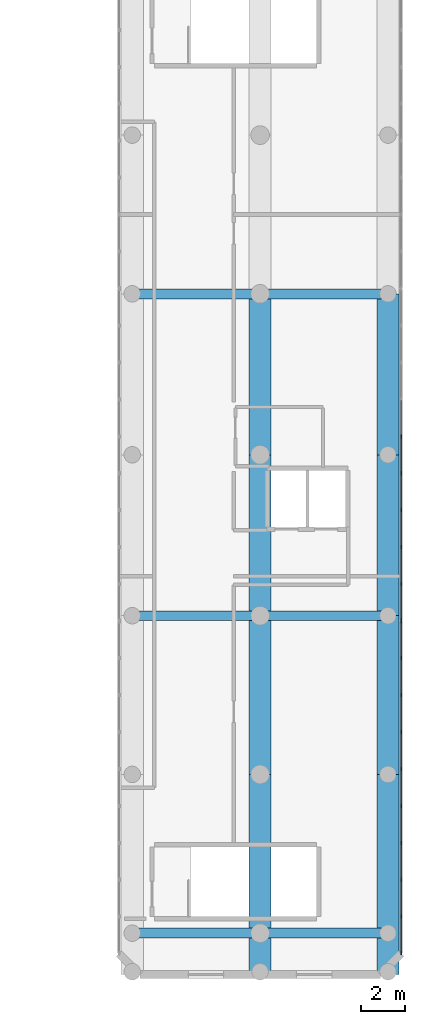
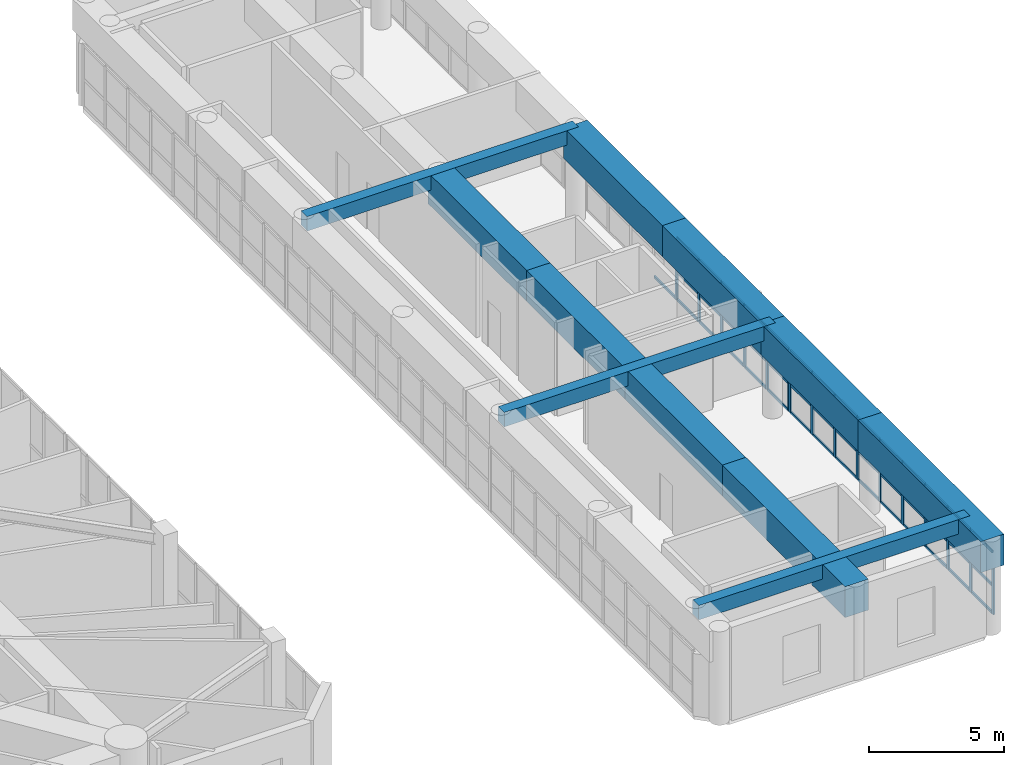
# One storey, part 8 of 22: 59 members, 11 beams, 2 elements without a shape of their own.
"""IFC4 building model written with IfcOpenShell, lengths in metres."""

from ifc_helpers import new_model, si_unit, direction, frame, origin, origin_with_axes, origin_2d, place, context, subcontext, project, spatial, rectangle, extrude, source, transform, mapped, material, layer, layer_set, material_profile, profile_set, type_object, element, aggregate, save


model = new_model("IFC4")

# Units and contexts
model_context = context("Model", 3, precision=1e-05, world=origin(), true_north=direction((0.0, 1.0)))
body_context = subcontext(model_context, "Body", "Model", "MODEL_VIEW")
ifc_project = project(units=[si_unit("LENGTHUNIT", "METRE"), si_unit("AREAUNIT", "SQUARE_METRE"), si_unit("VOLUMEUNIT", "CUBIC_METRE"), si_unit("PLANEANGLEUNIT", "RADIAN"), si_unit("MASSUNIT", "GRAM", prefix="KILO")], contexts=[model_context])

# Site, building, storey
site_placement = place(None, origin())
site = spatial("IfcSite", under=ifc_project, at=site_placement, CompositionType="ELEMENT")
building_placement = place(site_placement, origin())
building = spatial("IfcBuilding", under=site, at=building_placement, Name="Karkom Vertical University and Central Library", CompositionType="ELEMENT")
storey_placement = place(building_placement, frame((0.0, 0.0, 18.0)))
storey = spatial("IfcBuildingStorey", under=building, at=storey_placement, Name="L04", CompositionType="ELEMENT", Elevation=18.0)

# Beams
ifc_material_1 = material(Name="Concrete C50/60", Category="concrete")
ifc_material_profile_1 = material_profile(ifc_material_1, rectangle(XDim=1.0, YDim=1.39990234375, at=origin_2d()), Name="TG-1000x1400")
ifc_profile_set_1 = profile_set([ifc_material_profile_1], Name="Concrete C50/60")
beam_type_1 = type_object("IfcBeamType", Name="STR-BM-TG-2", PredefinedType="USERDEFINED", material=ifc_profile_set_1)
shared_shape_1 = source(origin_with_axes(), body_context, "Body", "SweptSolid", [
    extrude(rectangle(XDim=1.0, YDim=1.39990234375, at=origin_2d()), origin(), (0.0, 0.0, 1.0), 9.080078125),
])
for number, where, z_axis, x_axis, name in (
    (1, (75.39990234375, 2.919921875, 3.52490234375), (0.0, 1.0, 0.0), (-1.0, 0.0, 0.0), "Level 04 Library Vault Transfer Eave Girder 2.1"),
    (2, (81.199951171875, 2.919921875, 3.52490234375), (0.0, 1.0, 0.0), (-1.0, 0.0, 0.0), "Level 04 Library Vault Transfer Eave Girder 3.1"),
):
    element("IfcBeam", number, at=place(storey_placement, frame(where, z_axis=z_axis, x_axis=x_axis)), inside=storey, type_object=beam_type_1, Name=name, ObjectType="GIRDER", PredefinedType="USERDEFINED", context=body_context, shape_type="MappedRepresentation", body=[
        mapped(shared_shape_1, transform((0.0, 0.0, 0.0), scale=1.0)),
    ])
shared_shape_2 = source(origin_with_axes(), body_context, "Body", "SweptSolid", [
    extrude(rectangle(XDim=1.0, YDim=1.39990234375, at=origin_2d()), origin(), (0.0, 0.0, 1.0), 7.199951171875),
])
for number, where, z_axis, x_axis, name in (
    (3, (75.39990234375, 12.0, 3.52490234375), (0.0, 1.0, 0.0), (-1.0, 0.0, 0.0), "Level 04 Library Vault Transfer Eave Girder 2.2"),
    (4, (81.199951171875, 12.0, 3.52490234375), (0.0, 1.0, 0.0), (-1.0, 0.0, 0.0), "Level 04 Library Vault Transfer Eave Girder 3.2"),
):
    element("IfcBeam", number, at=place(storey_placement, frame(where, z_axis=z_axis, x_axis=x_axis)), inside=storey, type_object=beam_type_1, Name=name, ObjectType="GIRDER", PredefinedType="USERDEFINED", context=body_context, shape_type="MappedRepresentation", body=[
        mapped(shared_shape_2, transform((0.0, 0.0, 0.0), scale=1.0)),
    ])
shared_shape_3 = source(origin_with_axes(), body_context, "Body", "SweptSolid", [
    extrude(rectangle(XDim=1.0, YDim=1.39990234375, at=origin_2d()), origin(), (0.0, 0.0, 1.0), 7.300048828125),
])
for number, where, z_axis, x_axis, name in (
    (5, (75.39990234375, 19.199951171875, 3.52490234375), (0.0, 1.0, 0.0), (-1.0, 0.0, 0.0), "Level 04 Library Vault Transfer Eave Girder 2.3"),
    (6, (75.39990234375, 26.5, 3.52490234375), (0.0, 1.0, 0.0), (-1.0, 0.0, 0.0), "Level 04 Library Vault Transfer Eave Girder 2.4"),
    (7, (81.199951171875, 19.199951171875, 3.52490234375), (0.0, 1.0, 0.0), (-1.0, 0.0, 0.0), "Level 04 Library Vault Transfer Eave Girder 3.3"),
    (8, (81.199951171875, 26.5, 3.52490234375), (0.0, 1.0, 0.0), (-1.0, 0.0, 0.0), "Level 04 Library Vault Transfer Eave Girder 3.4"),
):
    element("IfcBeam", number, at=place(storey_placement, frame(where, z_axis=z_axis, x_axis=x_axis)), inside=storey, type_object=beam_type_1, Name=name, ObjectType="GIRDER", PredefinedType="USERDEFINED", context=body_context, shape_type="MappedRepresentation", body=[
        mapped(shared_shape_3, transform((0.0, 0.0, 0.0), scale=1.0)),
    ])
ifc_material_2 = material(Name="Concrete C40/50", Category="concrete")
ifc_material_profile_2 = material_profile(ifc_material_2, rectangle(XDim=0.449951171875, YDim=0.64990234375, at=origin_2d()), Name="RCB-450x650")
ifc_profile_set_2 = profile_set([ifc_material_profile_2], Name="Concrete C40/50")
beam_type_2 = type_object("IfcBeamType", Name="STR-BM-BG-4", PredefinedType="USERDEFINED", material=ifc_profile_set_2)
shared_shape_4 = source(origin_with_axes(), body_context, "Body", "SweptSolid", [
    extrude(rectangle(XDim=0.449951171875, YDim=0.64990234375, at=origin_2d()), origin(), (0.0, 0.0, 1.0), 11.599853515625),
])
for number, where, z_axis, x_axis, name in (
    (9, (69.60009765625, 4.800048828125, 3.89990234375), (1.0, 0.0, 0.0), (0.0, 1.0, 0.0), "Level 04 Library Transverse Tie Girder 1"),
    (10, (69.60009765625, 19.199951171875, 3.89990234375), (1.0, 0.0, 0.0), (0.0, 1.0, 0.0), "Level 04 Library Transverse Tie Girder 2"),
    (11, (69.60009765625, 33.800048828125, 3.89990234375), (1.0, 0.0, 0.0), (0.0, 1.0, 0.0), "Level 04 Library Transverse Tie Girder 3"),
):
    element("IfcBeam", number, at=place(storey_placement, frame(where, z_axis=z_axis, x_axis=x_axis)), inside=storey, type_object=beam_type_2, Name=name, ObjectType="GIRDER", PredefinedType="USERDEFINED", context=body_context, shape_type="MappedRepresentation", body=[
        mapped(shared_shape_4, transform((0.0, 0.0, 0.0), scale=1.0)),
    ])

# Curtain wall, members
ifc_material_3 = material(Name="Aluminium curtain-wall framing and low-E IGU", Category="aluminium")
ifc_layer = layer(ifc_material_3, 0.199951171875)
ifc_layer_set = layer_set([ifc_layer], Name="Aluminium curtain-wall framing and low-E IGU")
curtain_wall_type = type_object("IfcCurtainWallType", Name="ENV-CW-2", PredefinedType="USERDEFINED", material=ifc_layer_set)
curtain_wall_1_placement = place(storey_placement, origin())
curtain_wall_1 = element("IfcCurtainWall", 12, at=curtain_wall_1_placement, inside=storey, type_object=curtain_wall_type, Name="Level 04 CW-2 Curtain Wall Level 04-CW2-3-1", ObjectType="STICK MULLION GLAZING", PredefinedType="USERDEFINED")
ifc_material_4 = material(Name="Anodised Aluminium 6063-T6", Category="aluminium")
ifc_material_profile_3 = material_profile(ifc_material_4, rectangle(XDim=0.06005859375, YDim=0.159912109375, at=origin_2d()), Name="ALU-M60x160")
ifc_profile_set_3 = profile_set([ifc_material_profile_3], Name="Anodised Aluminium 6063-T6")
member_type_1 = type_object("IfcMemberType", Name="ENV-MEM-ALU-M60x160", PredefinedType="MULLION", material=ifc_profile_set_3)
shared_shape_5 = source(origin_with_axes(), body_context, "Body", "SweptSolid", [
    extrude(rectangle(XDim=0.06005859375, YDim=0.159912109375, at=origin_2d()), origin(), (0.0, 0.0, 1.0), 2.824951171875),
])
member_1_placement = place(storey_placement, frame((81.800048828125, 3.89990234375, 0.0), z_axis=(0.0, 0.0, 1.0), x_axis=(-1.0, 0.0, 0.0)))
member_1 = element("IfcMember", 13, at=member_1_placement, type_object=member_type_1, Name="CW-2 mullion 1", PredefinedType="MULLION", context=body_context, shape_type="MappedRepresentation", body=[
    mapped(shared_shape_5, transform((0.0, 0.0, 0.0), scale=1.0)),
])
member_2_placement = place(storey_placement, frame((81.800048828125, 5.54638671875, 0.0), z_axis=(0.0, 0.0, 1.0), x_axis=(-1.0, 0.0, 0.0)))
member_2 = element("IfcMember", 14, at=member_2_placement, type_object=member_type_1, Name="CW-2 mullion 2", PredefinedType="MULLION", context=body_context, shape_type="MappedRepresentation", body=[
    mapped(shared_shape_5, transform((0.0, 0.0, 0.0), scale=1.0)),
])
member_3_placement = place(storey_placement, frame((81.800048828125, 7.22265625, 0.0), z_axis=(0.0, 0.0, 1.0), x_axis=(-1.0, 0.0, 0.0)))
member_3 = element("IfcMember", 15, at=member_3_placement, type_object=member_type_1, Name="CW-2 mullion 3", PredefinedType="MULLION", context=body_context, shape_type="MappedRepresentation", body=[
    mapped(shared_shape_5, transform((0.0, 0.0, 0.0), scale=1.0)),
])
member_4_placement = place(storey_placement, frame((81.800048828125, 8.89892578125, 0.0), z_axis=(0.0, 0.0, 1.0), x_axis=(-1.0, 0.0, 0.0)))
member_4 = element("IfcMember", 16, at=member_4_placement, type_object=member_type_1, Name="CW-2 mullion 4", PredefinedType="MULLION", context=body_context, shape_type="MappedRepresentation", body=[
    mapped(shared_shape_5, transform((0.0, 0.0, 0.0), scale=1.0)),
])
member_5_placement = place(storey_placement, frame((81.800048828125, 10.5751953125, 0.0), z_axis=(0.0, 0.0, 1.0), x_axis=(-1.0, 0.0, 0.0)))
member_5 = element("IfcMember", 17, at=member_5_placement, type_object=member_type_1, Name="CW-2 mullion 5", PredefinedType="MULLION", context=body_context, shape_type="MappedRepresentation", body=[
    mapped(shared_shape_5, transform((0.0, 0.0, 0.0), scale=1.0)),
])
member_6_placement = place(storey_placement, frame((81.800048828125, 12.25146484375, 0.0), z_axis=(0.0, 0.0, 1.0), x_axis=(-1.0, 0.0, 0.0)))
member_6 = element("IfcMember", 18, at=member_6_placement, type_object=member_type_1, Name="CW-2 mullion 6", PredefinedType="MULLION", context=body_context, shape_type="MappedRepresentation", body=[
    mapped(shared_shape_5, transform((0.0, 0.0, 0.0), scale=1.0)),
])
member_7_placement = place(storey_placement, frame((81.800048828125, 13.927734375, 0.0), z_axis=(0.0, 0.0, 1.0), x_axis=(-1.0, 0.0, 0.0)))
member_7 = element("IfcMember", 19, at=member_7_placement, type_object=member_type_1, Name="CW-2 mullion 7", PredefinedType="MULLION", context=body_context, shape_type="MappedRepresentation", body=[
    mapped(shared_shape_5, transform((0.0, 0.0, 0.0), scale=1.0)),
])
member_8_placement = place(storey_placement, frame((81.800048828125, 15.60400390625, 0.0), z_axis=(0.0, 0.0, 1.0), x_axis=(-1.0, 0.0, 0.0)))
member_8 = element("IfcMember", 20, at=member_8_placement, type_object=member_type_1, Name="CW-2 mullion 8", PredefinedType="MULLION", context=body_context, shape_type="MappedRepresentation", body=[
    mapped(shared_shape_5, transform((0.0, 0.0, 0.0), scale=1.0)),
])
member_9_placement = place(storey_placement, frame((81.800048828125, 17.280517578125, 0.0), z_axis=(0.0, 0.0, 1.0), x_axis=(-1.0, 0.0, 0.0)))
member_9 = element("IfcMember", 21, at=member_9_placement, type_object=member_type_1, Name="CW-2 mullion 9", PredefinedType="MULLION", context=body_context, shape_type="MappedRepresentation", body=[
    mapped(shared_shape_5, transform((0.0, 0.0, 0.0), scale=1.0)),
])
member_10_placement = place(storey_placement, frame((81.800048828125, 18.9267578125, 0.0), z_axis=(0.0, 0.0, 1.0), x_axis=(-1.0, 0.0, 0.0)))
member_10 = element("IfcMember", 22, at=member_10_placement, type_object=member_type_1, Name="CW-2 mullion 10", PredefinedType="MULLION", context=body_context, shape_type="MappedRepresentation", body=[
    mapped(shared_shape_5, transform((0.0, 0.0, 0.0), scale=1.0)),
])

curtain_wall_2_placement = place(storey_placement, origin())
curtain_wall_2 = element("IfcCurtainWall", 23, at=curtain_wall_2_placement, inside=storey, type_object=curtain_wall_type, Name="Level 04 CW-2 Curtain Wall Level 04-CW2-3-2", ObjectType="STICK MULLION GLAZING", PredefinedType="USERDEFINED")
member_11_placement = place(storey_placement, frame((81.800048828125, 18.98681640625, 0.0), z_axis=(0.0, 0.0, 1.0), x_axis=(-1.0, 0.0, 0.0)))
member_11 = element("IfcMember", 24, at=member_11_placement, type_object=member_type_1, Name="CW-2 mullion 1", PredefinedType="MULLION", context=body_context, shape_type="MappedRepresentation", body=[
    mapped(shared_shape_5, transform((0.0, 0.0, 0.0), scale=1.0)),
])
member_12_placement = place(storey_placement, frame((81.800048828125, 20.633056640625, 0.0), z_axis=(0.0, 0.0, 1.0), x_axis=(-1.0, 0.0, 0.0)))
member_12 = element("IfcMember", 25, at=member_12_placement, type_object=member_type_1, Name="CW-2 mullion 2", PredefinedType="MULLION", context=body_context, shape_type="MappedRepresentation", body=[
    mapped(shared_shape_5, transform((0.0, 0.0, 0.0), scale=1.0)),
])
member_13_placement = place(storey_placement, frame((81.800048828125, 22.309326171875, 0.0), z_axis=(0.0, 0.0, 1.0), x_axis=(-1.0, 0.0, 0.0)))
member_13 = element("IfcMember", 26, at=member_13_placement, type_object=member_type_1, Name="CW-2 mullion 3", PredefinedType="MULLION", context=body_context, shape_type="MappedRepresentation", body=[
    mapped(shared_shape_5, transform((0.0, 0.0, 0.0), scale=1.0)),
])
member_14_placement = place(storey_placement, frame((81.800048828125, 23.985595703125, 0.0), z_axis=(0.0, 0.0, 1.0), x_axis=(-1.0, 0.0, 0.0)))
member_14 = element("IfcMember", 27, at=member_14_placement, type_object=member_type_1, Name="CW-2 mullion 4", PredefinedType="MULLION", context=body_context, shape_type="MappedRepresentation", body=[
    mapped(shared_shape_5, transform((0.0, 0.0, 0.0), scale=1.0)),
])
member_15_placement = place(storey_placement, frame((81.800048828125, 25.661865234375, 0.0), z_axis=(0.0, 0.0, 1.0), x_axis=(-1.0, 0.0, 0.0)))
member_15 = element("IfcMember", 28, at=member_15_placement, type_object=member_type_1, Name="CW-2 mullion 5", PredefinedType="MULLION", context=body_context, shape_type="MappedRepresentation", body=[
    mapped(shared_shape_5, transform((0.0, 0.0, 0.0), scale=1.0)),
])
member_16_placement = place(storey_placement, frame((81.800048828125, 27.338134765625, 0.0), z_axis=(0.0, 0.0, 1.0), x_axis=(-1.0, 0.0, 0.0)))
member_16 = element("IfcMember", 29, at=member_16_placement, type_object=member_type_1, Name="CW-2 mullion 6", PredefinedType="MULLION", context=body_context, shape_type="MappedRepresentation", body=[
    mapped(shared_shape_5, transform((0.0, 0.0, 0.0), scale=1.0)),
])

# Member
ifc_material_profile_4 = material_profile(ifc_material_4, rectangle(XDim=0.06005859375, YDim=0.1201171875, at=origin_2d()), Name="ALU-T60x120")
ifc_profile_set_4 = profile_set([ifc_material_profile_4], Name="Anodised Aluminium 6063-T6")
member_type_2 = type_object("IfcMemberType", Name="ENV-MEM-ALU-T60x120", PredefinedType="USERDEFINED", material=ifc_profile_set_4)
shared_shape_6 = source(origin_with_axes(), body_context, "Body", "SweptSolid", [
    extrude(rectangle(XDim=0.06005859375, YDim=0.1201171875, at=origin_2d()), origin(), (0.0, 0.0, 1.0), 1.58642578125),
])
member_17_placement = place(storey_placement, frame((81.800048828125, 3.929931640625, 0.030029296875), z_axis=(0.0, 1.0, 0.0), x_axis=(-1.0, 0.0, 0.0)))
member_17 = element("IfcMember", 30, at=member_17_placement, type_object=member_type_2, Name="CW-2 transom 1.1", ObjectType="TRANSOM", PredefinedType="USERDEFINED", context=body_context, shape_type="MappedRepresentation", body=[
    mapped(shared_shape_6, transform((0.0, 0.0, 0.0), scale=1.0)),
])

member_18_placement = place(storey_placement, frame((81.800048828125, 3.929931640625, 1.271240234375), z_axis=(0.0, 1.0, 0.0), x_axis=(-1.0, 0.0, 0.0)))
member_18 = element("IfcMember", 31, at=member_18_placement, type_object=member_type_2, Name="CW-2 transom 1.2", ObjectType="TRANSOM", PredefinedType="USERDEFINED", context=body_context, shape_type="MappedRepresentation", body=[
    mapped(shared_shape_6, transform((0.0, 0.0, 0.0), scale=1.0)),
])

member_19_placement = place(storey_placement, frame((81.800048828125, 3.929931640625, 2.794921875), z_axis=(0.0, 1.0, 0.0), x_axis=(-1.0, 0.0, 0.0)))
member_19 = element("IfcMember", 32, at=member_19_placement, type_object=member_type_2, Name="CW-2 transom 1.3", ObjectType="TRANSOM", PredefinedType="USERDEFINED", context=body_context, shape_type="MappedRepresentation", body=[
    mapped(shared_shape_6, transform((0.0, 0.0, 0.0), scale=1.0)),
])

member_20_placement = place(storey_placement, frame((81.800048828125, 17.310302734375, 0.030029296875), z_axis=(0.0, 1.0, 0.0), x_axis=(-1.0, 0.0, 0.0)))
member_20 = element("IfcMember", 33, at=member_20_placement, type_object=member_type_2, Name="CW-2 transom 9.1", ObjectType="TRANSOM", PredefinedType="USERDEFINED", context=body_context, shape_type="MappedRepresentation", body=[
    mapped(shared_shape_6, transform((0.0, 0.0, 0.0), scale=1.0)),
])

member_21_placement = place(storey_placement, frame((81.800048828125, 17.310302734375, 1.271240234375), z_axis=(0.0, 1.0, 0.0), x_axis=(-1.0, 0.0, 0.0)))
member_21 = element("IfcMember", 34, at=member_21_placement, type_object=member_type_2, Name="CW-2 transom 9.2", ObjectType="TRANSOM", PredefinedType="USERDEFINED", context=body_context, shape_type="MappedRepresentation", body=[
    mapped(shared_shape_6, transform((0.0, 0.0, 0.0), scale=1.0)),
])

member_22_placement = place(storey_placement, frame((81.800048828125, 17.310302734375, 2.794921875), z_axis=(0.0, 1.0, 0.0), x_axis=(-1.0, 0.0, 0.0)))
member_22 = element("IfcMember", 35, at=member_22_placement, type_object=member_type_2, Name="CW-2 transom 9.3", ObjectType="TRANSOM", PredefinedType="USERDEFINED", context=body_context, shape_type="MappedRepresentation", body=[
    mapped(shared_shape_6, transform((0.0, 0.0, 0.0), scale=1.0)),
])

member_23_placement = place(storey_placement, frame((81.800048828125, 19.0166015625, 0.030029296875), z_axis=(0.0, 1.0, 0.0), x_axis=(-1.0, 0.0, 0.0)))
member_23 = element("IfcMember", 36, at=member_23_placement, type_object=member_type_2, Name="CW-2 transom 1.1", ObjectType="TRANSOM", PredefinedType="USERDEFINED", context=body_context, shape_type="MappedRepresentation", body=[
    mapped(shared_shape_6, transform((0.0, 0.0, 0.0), scale=1.0)),
])

member_24_placement = place(storey_placement, frame((81.800048828125, 19.0166015625, 1.271240234375), z_axis=(0.0, 1.0, 0.0), x_axis=(-1.0, 0.0, 0.0)))
member_24 = element("IfcMember", 37, at=member_24_placement, type_object=member_type_2, Name="CW-2 transom 1.2", ObjectType="TRANSOM", PredefinedType="USERDEFINED", context=body_context, shape_type="MappedRepresentation", body=[
    mapped(shared_shape_6, transform((0.0, 0.0, 0.0), scale=1.0)),
])

member_25_placement = place(storey_placement, frame((81.800048828125, 19.0166015625, 2.794921875), z_axis=(0.0, 1.0, 0.0), x_axis=(-1.0, 0.0, 0.0)))
member_25 = element("IfcMember", 38, at=member_25_placement, type_object=member_type_2, Name="CW-2 transom 1.3", ObjectType="TRANSOM", PredefinedType="USERDEFINED", context=body_context, shape_type="MappedRepresentation", body=[
    mapped(shared_shape_6, transform((0.0, 0.0, 0.0), scale=1.0)),
])

shared_shape_7 = source(origin_with_axes(), body_context, "Body", "SweptSolid", [
    extrude(rectangle(XDim=0.06005859375, YDim=0.1201171875, at=origin_2d()), origin(), (0.0, 0.0, 1.0), 1.6162109375),
])
member_26_placement = place(storey_placement, frame((81.800048828125, 5.576416015625, 0.030029296875), z_axis=(0.0, 1.0, 0.0), x_axis=(-1.0, 0.0, 0.0)))
member_26 = element("IfcMember", 39, at=member_26_placement, type_object=member_type_2, Name="CW-2 transom 2.1", ObjectType="TRANSOM", PredefinedType="USERDEFINED", context=body_context, shape_type="MappedRepresentation", body=[
    mapped(shared_shape_7, transform((0.0, 0.0, 0.0), scale=1.0)),
])

member_27_placement = place(storey_placement, frame((81.800048828125, 5.576416015625, 1.271240234375), z_axis=(0.0, 1.0, 0.0), x_axis=(-1.0, 0.0, 0.0)))
member_27 = element("IfcMember", 40, at=member_27_placement, type_object=member_type_2, Name="CW-2 transom 2.2", ObjectType="TRANSOM", PredefinedType="USERDEFINED", context=body_context, shape_type="MappedRepresentation", body=[
    mapped(shared_shape_7, transform((0.0, 0.0, 0.0), scale=1.0)),
])

member_28_placement = place(storey_placement, frame((81.800048828125, 5.576416015625, 2.794921875), z_axis=(0.0, 1.0, 0.0), x_axis=(-1.0, 0.0, 0.0)))
member_28 = element("IfcMember", 41, at=member_28_placement, type_object=member_type_2, Name="CW-2 transom 2.3", ObjectType="TRANSOM", PredefinedType="USERDEFINED", context=body_context, shape_type="MappedRepresentation", body=[
    mapped(shared_shape_7, transform((0.0, 0.0, 0.0), scale=1.0)),
])

member_29_placement = place(storey_placement, frame((81.800048828125, 7.252685546875, 0.030029296875), z_axis=(0.0, 1.0, 0.0), x_axis=(-1.0, 0.0, 0.0)))
member_29 = element("IfcMember", 42, at=member_29_placement, type_object=member_type_2, Name="CW-2 transom 3.1", ObjectType="TRANSOM", PredefinedType="USERDEFINED", context=body_context, shape_type="MappedRepresentation", body=[
    mapped(shared_shape_7, transform((0.0, 0.0, 0.0), scale=1.0)),
])

member_30_placement = place(storey_placement, frame((81.800048828125, 7.252685546875, 1.271240234375), z_axis=(0.0, 1.0, 0.0), x_axis=(-1.0, 0.0, 0.0)))
member_30 = element("IfcMember", 43, at=member_30_placement, type_object=member_type_2, Name="CW-2 transom 3.2", ObjectType="TRANSOM", PredefinedType="USERDEFINED", context=body_context, shape_type="MappedRepresentation", body=[
    mapped(shared_shape_7, transform((0.0, 0.0, 0.0), scale=1.0)),
])

member_31_placement = place(storey_placement, frame((81.800048828125, 7.252685546875, 2.794921875), z_axis=(0.0, 1.0, 0.0), x_axis=(-1.0, 0.0, 0.0)))
member_31 = element("IfcMember", 44, at=member_31_placement, type_object=member_type_2, Name="CW-2 transom 3.3", ObjectType="TRANSOM", PredefinedType="USERDEFINED", context=body_context, shape_type="MappedRepresentation", body=[
    mapped(shared_shape_7, transform((0.0, 0.0, 0.0), scale=1.0)),
])

member_32_placement = place(storey_placement, frame((81.800048828125, 8.928955078125, 0.030029296875), z_axis=(0.0, 1.0, 0.0), x_axis=(-1.0, 0.0, 0.0)))
member_32 = element("IfcMember", 45, at=member_32_placement, type_object=member_type_2, Name="CW-2 transom 4.1", ObjectType="TRANSOM", PredefinedType="USERDEFINED", context=body_context, shape_type="MappedRepresentation", body=[
    mapped(shared_shape_7, transform((0.0, 0.0, 0.0), scale=1.0)),
])

member_33_placement = place(storey_placement, frame((81.800048828125, 8.928955078125, 1.271240234375), z_axis=(0.0, 1.0, 0.0), x_axis=(-1.0, 0.0, 0.0)))
member_33 = element("IfcMember", 46, at=member_33_placement, type_object=member_type_2, Name="CW-2 transom 4.2", ObjectType="TRANSOM", PredefinedType="USERDEFINED", context=body_context, shape_type="MappedRepresentation", body=[
    mapped(shared_shape_7, transform((0.0, 0.0, 0.0), scale=1.0)),
])

member_34_placement = place(storey_placement, frame((81.800048828125, 8.928955078125, 2.794921875), z_axis=(0.0, 1.0, 0.0), x_axis=(-1.0, 0.0, 0.0)))
member_34 = element("IfcMember", 47, at=member_34_placement, type_object=member_type_2, Name="CW-2 transom 4.3", ObjectType="TRANSOM", PredefinedType="USERDEFINED", context=body_context, shape_type="MappedRepresentation", body=[
    mapped(shared_shape_7, transform((0.0, 0.0, 0.0), scale=1.0)),
])

member_35_placement = place(storey_placement, frame((81.800048828125, 10.605224609375, 0.030029296875), z_axis=(0.0, 1.0, 0.0), x_axis=(-1.0, 0.0, 0.0)))
member_35 = element("IfcMember", 48, at=member_35_placement, type_object=member_type_2, Name="CW-2 transom 5.1", ObjectType="TRANSOM", PredefinedType="USERDEFINED", context=body_context, shape_type="MappedRepresentation", body=[
    mapped(shared_shape_7, transform((0.0, 0.0, 0.0), scale=1.0)),
])

member_36_placement = place(storey_placement, frame((81.800048828125, 10.605224609375, 1.271240234375), z_axis=(0.0, 1.0, 0.0), x_axis=(-1.0, 0.0, 0.0)))
member_36 = element("IfcMember", 49, at=member_36_placement, type_object=member_type_2, Name="CW-2 transom 5.2", ObjectType="TRANSOM", PredefinedType="USERDEFINED", context=body_context, shape_type="MappedRepresentation", body=[
    mapped(shared_shape_7, transform((0.0, 0.0, 0.0), scale=1.0)),
])

member_37_placement = place(storey_placement, frame((81.800048828125, 10.605224609375, 2.794921875), z_axis=(0.0, 1.0, 0.0), x_axis=(-1.0, 0.0, 0.0)))
member_37 = element("IfcMember", 50, at=member_37_placement, type_object=member_type_2, Name="CW-2 transom 5.3", ObjectType="TRANSOM", PredefinedType="USERDEFINED", context=body_context, shape_type="MappedRepresentation", body=[
    mapped(shared_shape_7, transform((0.0, 0.0, 0.0), scale=1.0)),
])

member_38_placement = place(storey_placement, frame((81.800048828125, 12.281494140625, 0.030029296875), z_axis=(0.0, 1.0, 0.0), x_axis=(-1.0, 0.0, 0.0)))
member_38 = element("IfcMember", 51, at=member_38_placement, type_object=member_type_2, Name="CW-2 transom 6.1", ObjectType="TRANSOM", PredefinedType="USERDEFINED", context=body_context, shape_type="MappedRepresentation", body=[
    mapped(shared_shape_7, transform((0.0, 0.0, 0.0), scale=1.0)),
])

member_39_placement = place(storey_placement, frame((81.800048828125, 12.281494140625, 1.271240234375), z_axis=(0.0, 1.0, 0.0), x_axis=(-1.0, 0.0, 0.0)))
member_39 = element("IfcMember", 52, at=member_39_placement, type_object=member_type_2, Name="CW-2 transom 6.2", ObjectType="TRANSOM", PredefinedType="USERDEFINED", context=body_context, shape_type="MappedRepresentation", body=[
    mapped(shared_shape_7, transform((0.0, 0.0, 0.0), scale=1.0)),
])

member_40_placement = place(storey_placement, frame((81.800048828125, 12.281494140625, 2.794921875), z_axis=(0.0, 1.0, 0.0), x_axis=(-1.0, 0.0, 0.0)))
member_40 = element("IfcMember", 53, at=member_40_placement, type_object=member_type_2, Name="CW-2 transom 6.3", ObjectType="TRANSOM", PredefinedType="USERDEFINED", context=body_context, shape_type="MappedRepresentation", body=[
    mapped(shared_shape_7, transform((0.0, 0.0, 0.0), scale=1.0)),
])

member_41_placement = place(storey_placement, frame((81.800048828125, 20.6630859375, 0.030029296875), z_axis=(0.0, 1.0, 0.0), x_axis=(-1.0, 0.0, 0.0)))
member_41 = element("IfcMember", 54, at=member_41_placement, type_object=member_type_2, Name="CW-2 transom 2.1", ObjectType="TRANSOM", PredefinedType="USERDEFINED", context=body_context, shape_type="MappedRepresentation", body=[
    mapped(shared_shape_7, transform((0.0, 0.0, 0.0), scale=1.0)),
])

member_42_placement = place(storey_placement, frame((81.800048828125, 20.6630859375, 1.271240234375), z_axis=(0.0, 1.0, 0.0), x_axis=(-1.0, 0.0, 0.0)))
member_42 = element("IfcMember", 55, at=member_42_placement, type_object=member_type_2, Name="CW-2 transom 2.2", ObjectType="TRANSOM", PredefinedType="USERDEFINED", context=body_context, shape_type="MappedRepresentation", body=[
    mapped(shared_shape_7, transform((0.0, 0.0, 0.0), scale=1.0)),
])

member_43_placement = place(storey_placement, frame((81.800048828125, 20.6630859375, 2.794921875), z_axis=(0.0, 1.0, 0.0), x_axis=(-1.0, 0.0, 0.0)))
member_43 = element("IfcMember", 56, at=member_43_placement, type_object=member_type_2, Name="CW-2 transom 2.3", ObjectType="TRANSOM", PredefinedType="USERDEFINED", context=body_context, shape_type="MappedRepresentation", body=[
    mapped(shared_shape_7, transform((0.0, 0.0, 0.0), scale=1.0)),
])

member_44_placement = place(storey_placement, frame((81.800048828125, 22.33935546875, 0.030029296875), z_axis=(0.0, 1.0, 0.0), x_axis=(-1.0, 0.0, 0.0)))
member_44 = element("IfcMember", 57, at=member_44_placement, type_object=member_type_2, Name="CW-2 transom 3.1", ObjectType="TRANSOM", PredefinedType="USERDEFINED", context=body_context, shape_type="MappedRepresentation", body=[
    mapped(shared_shape_7, transform((0.0, 0.0, 0.0), scale=1.0)),
])

member_45_placement = place(storey_placement, frame((81.800048828125, 22.33935546875, 1.271240234375), z_axis=(0.0, 1.0, 0.0), x_axis=(-1.0, 0.0, 0.0)))
member_45 = element("IfcMember", 58, at=member_45_placement, type_object=member_type_2, Name="CW-2 transom 3.2", ObjectType="TRANSOM", PredefinedType="USERDEFINED", context=body_context, shape_type="MappedRepresentation", body=[
    mapped(shared_shape_7, transform((0.0, 0.0, 0.0), scale=1.0)),
])

member_46_placement = place(storey_placement, frame((81.800048828125, 22.33935546875, 2.794921875), z_axis=(0.0, 1.0, 0.0), x_axis=(-1.0, 0.0, 0.0)))
member_46 = element("IfcMember", 59, at=member_46_placement, type_object=member_type_2, Name="CW-2 transom 3.3", ObjectType="TRANSOM", PredefinedType="USERDEFINED", context=body_context, shape_type="MappedRepresentation", body=[
    mapped(shared_shape_7, transform((0.0, 0.0, 0.0), scale=1.0)),
])

member_47_placement = place(storey_placement, frame((81.800048828125, 24.015625, 0.030029296875), z_axis=(0.0, 1.0, 0.0), x_axis=(-1.0, 0.0, 0.0)))
member_47 = element("IfcMember", 60, at=member_47_placement, type_object=member_type_2, Name="CW-2 transom 4.1", ObjectType="TRANSOM", PredefinedType="USERDEFINED", context=body_context, shape_type="MappedRepresentation", body=[
    mapped(shared_shape_7, transform((0.0, 0.0, 0.0), scale=1.0)),
])

member_48_placement = place(storey_placement, frame((81.800048828125, 24.015625, 1.271240234375), z_axis=(0.0, 1.0, 0.0), x_axis=(-1.0, 0.0, 0.0)))
member_48 = element("IfcMember", 61, at=member_48_placement, type_object=member_type_2, Name="CW-2 transom 4.2", ObjectType="TRANSOM", PredefinedType="USERDEFINED", context=body_context, shape_type="MappedRepresentation", body=[
    mapped(shared_shape_7, transform((0.0, 0.0, 0.0), scale=1.0)),
])

member_49_placement = place(storey_placement, frame((81.800048828125, 24.015625, 2.794921875), z_axis=(0.0, 1.0, 0.0), x_axis=(-1.0, 0.0, 0.0)))
member_49 = element("IfcMember", 62, at=member_49_placement, type_object=member_type_2, Name="CW-2 transom 4.3", ObjectType="TRANSOM", PredefinedType="USERDEFINED", context=body_context, shape_type="MappedRepresentation", body=[
    mapped(shared_shape_7, transform((0.0, 0.0, 0.0), scale=1.0)),
])

member_50_placement = place(storey_placement, frame((81.800048828125, 25.69189453125, 0.030029296875), z_axis=(0.0, 1.0, 0.0), x_axis=(-1.0, 0.0, 0.0)))
member_50 = element("IfcMember", 63, at=member_50_placement, type_object=member_type_2, Name="CW-2 transom 5.1", ObjectType="TRANSOM", PredefinedType="USERDEFINED", context=body_context, shape_type="MappedRepresentation", body=[
    mapped(shared_shape_7, transform((0.0, 0.0, 0.0), scale=1.0)),
])

member_51_placement = place(storey_placement, frame((81.800048828125, 25.69189453125, 1.271240234375), z_axis=(0.0, 1.0, 0.0), x_axis=(-1.0, 0.0, 0.0)))
member_51 = element("IfcMember", 64, at=member_51_placement, type_object=member_type_2, Name="CW-2 transom 5.2", ObjectType="TRANSOM", PredefinedType="USERDEFINED", context=body_context, shape_type="MappedRepresentation", body=[
    mapped(shared_shape_7, transform((0.0, 0.0, 0.0), scale=1.0)),
])

member_52_placement = place(storey_placement, frame((81.800048828125, 25.69189453125, 2.794921875), z_axis=(0.0, 1.0, 0.0), x_axis=(-1.0, 0.0, 0.0)))
member_52 = element("IfcMember", 65, at=member_52_placement, type_object=member_type_2, Name="CW-2 transom 5.3", ObjectType="TRANSOM", PredefinedType="USERDEFINED", context=body_context, shape_type="MappedRepresentation", body=[
    mapped(shared_shape_7, transform((0.0, 0.0, 0.0), scale=1.0)),
])

member_53_placement = place(storey_placement, frame((81.800048828125, 27.3681640625, 0.030029296875), z_axis=(0.0, 1.0, 0.0), x_axis=(-1.0, 0.0, 0.0)))
member_53 = element("IfcMember", 66, at=member_53_placement, type_object=member_type_2, Name="CW-2 transom 6.1", ObjectType="TRANSOM", PredefinedType="USERDEFINED", context=body_context, shape_type="MappedRepresentation", body=[
    mapped(shared_shape_7, transform((0.0, 0.0, 0.0), scale=1.0)),
])

aggregate(curtain_wall_2, [member_11, member_12, member_13, member_14, member_15, member_16, member_23, member_24, member_25, member_41, member_42, member_43, member_44, member_45, member_46, member_47, member_48, member_49, member_50, member_51, member_52, member_53])

shared_shape_8 = source(origin_with_axes(), body_context, "Body", "SweptSolid", [
    extrude(rectangle(XDim=0.06005859375, YDim=0.1201171875, at=origin_2d()), origin(), (0.0, 0.0, 1.0), 1.616455078125),
])
member_54_placement = place(storey_placement, frame((81.800048828125, 13.957763671875, 0.030029296875), z_axis=(0.0, 1.0, 0.0), x_axis=(-1.0, 0.0, 0.0)))
member_54 = element("IfcMember", 67, at=member_54_placement, type_object=member_type_2, Name="CW-2 transom 7.1", ObjectType="TRANSOM", PredefinedType="USERDEFINED", context=body_context, shape_type="MappedRepresentation", body=[
    mapped(shared_shape_8, transform((0.0, 0.0, 0.0), scale=1.0)),
])

member_55_placement = place(storey_placement, frame((81.800048828125, 13.957763671875, 1.271240234375), z_axis=(0.0, 1.0, 0.0), x_axis=(-1.0, 0.0, 0.0)))
member_55 = element("IfcMember", 68, at=member_55_placement, type_object=member_type_2, Name="CW-2 transom 7.2", ObjectType="TRANSOM", PredefinedType="USERDEFINED", context=body_context, shape_type="MappedRepresentation", body=[
    mapped(shared_shape_8, transform((0.0, 0.0, 0.0), scale=1.0)),
])

member_56_placement = place(storey_placement, frame((81.800048828125, 13.957763671875, 2.794921875), z_axis=(0.0, 1.0, 0.0), x_axis=(-1.0, 0.0, 0.0)))
member_56 = element("IfcMember", 69, at=member_56_placement, type_object=member_type_2, Name="CW-2 transom 7.3", ObjectType="TRANSOM", PredefinedType="USERDEFINED", context=body_context, shape_type="MappedRepresentation", body=[
    mapped(shared_shape_8, transform((0.0, 0.0, 0.0), scale=1.0)),
])

member_57_placement = place(storey_placement, frame((81.800048828125, 15.634033203125, 0.030029296875), z_axis=(0.0, 1.0, 0.0), x_axis=(-1.0, 0.0, 0.0)))
member_57 = element("IfcMember", 70, at=member_57_placement, type_object=member_type_2, Name="CW-2 transom 8.1", ObjectType="TRANSOM", PredefinedType="USERDEFINED", context=body_context, shape_type="MappedRepresentation", body=[
    mapped(shared_shape_8, transform((0.0, 0.0, 0.0), scale=1.0)),
])

member_58_placement = place(storey_placement, frame((81.800048828125, 15.634033203125, 1.271240234375), z_axis=(0.0, 1.0, 0.0), x_axis=(-1.0, 0.0, 0.0)))
member_58 = element("IfcMember", 71, at=member_58_placement, type_object=member_type_2, Name="CW-2 transom 8.2", ObjectType="TRANSOM", PredefinedType="USERDEFINED", context=body_context, shape_type="MappedRepresentation", body=[
    mapped(shared_shape_8, transform((0.0, 0.0, 0.0), scale=1.0)),
])

member_59_placement = place(storey_placement, frame((81.800048828125, 15.634033203125, 2.794921875), z_axis=(0.0, 1.0, 0.0), x_axis=(-1.0, 0.0, 0.0)))
member_59 = element("IfcMember", 72, at=member_59_placement, type_object=member_type_2, Name="CW-2 transom 8.3", ObjectType="TRANSOM", PredefinedType="USERDEFINED", context=body_context, shape_type="MappedRepresentation", body=[
    mapped(shared_shape_8, transform((0.0, 0.0, 0.0), scale=1.0)),
])

aggregate(curtain_wall_1, [member_1, member_2, member_3, member_4, member_5, member_6, member_7, member_8, member_9, member_10, member_17, member_18, member_19, member_26, member_27, member_28, member_29, member_30, member_31, member_32, member_33, member_34, member_35, member_36, member_37, member_38, member_39, member_40, member_54, member_55, member_56, member_57, member_58, member_59, member_20, member_21, member_22])

save(model, "model.ifc")
